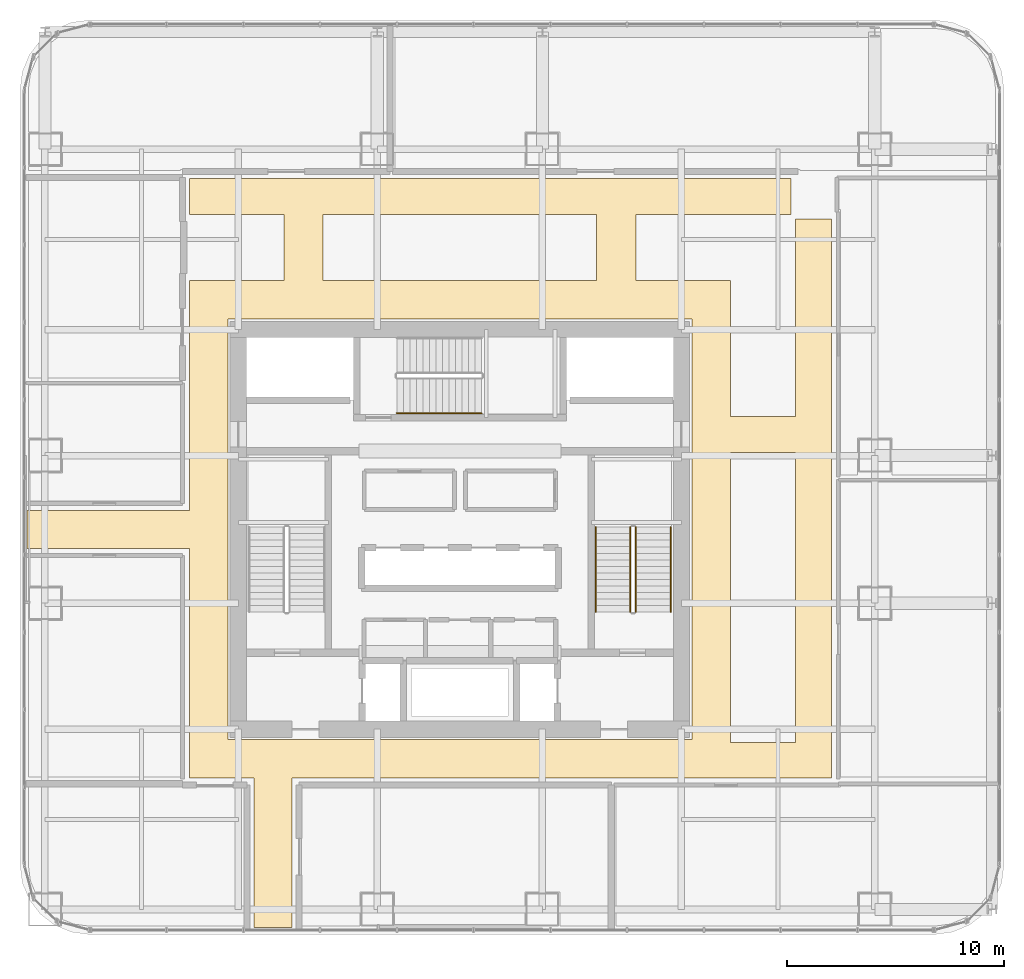
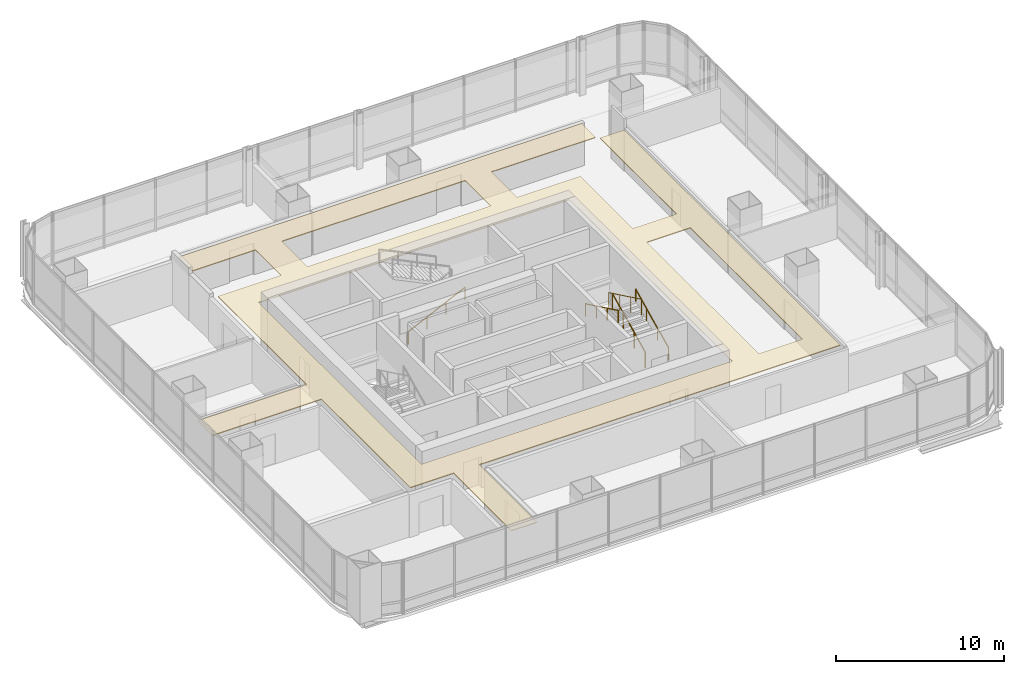
# One storey, part 32 of 34: 5 railings, 1 covering.
"""IFC4 building model written with IfcOpenShell, lengths in metres."""

from ifc_helpers import new_model, si_unit, direction, frame, origin, origin_2d, place, context, subcontext, project, spatial, polyline, circle, outline, extrude, material, layer, layer_set, type_object, element, save


model = new_model("IFC4")

# Units and contexts
model_context = context("Model", 3, precision=1e-05, world=origin(), true_north=direction((0.0, 1.0)))
body_context = subcontext(model_context, "Body", "Model", "MODEL_VIEW")
ifc_project = project(units=[si_unit("LENGTHUNIT", "METRE"), si_unit("AREAUNIT", "SQUARE_METRE"), si_unit("VOLUMEUNIT", "CUBIC_METRE"), si_unit("PLANEANGLEUNIT", "RADIAN"), si_unit("MASSUNIT", "GRAM", prefix="KILO")], contexts=[model_context])

# Site, building, storey
site_placement = place(None, origin())
site = spatial("IfcSite", under=ifc_project, at=site_placement, CompositionType="ELEMENT")
building_placement = place(site_placement, origin())
building = spatial("IfcBuilding", under=site, at=building_placement, Name="Punatoya Terracotta Tower", CompositionType="ELEMENT")
storey_placement = place(building_placement, frame((0.0, 0.0, 97.050048828125)))
storey = spatial("IfcBuildingStorey", under=building, at=storey_placement, Name="L22", CompositionType="ELEMENT", Elevation=97.050048828125)

# Covering
ifc_material_1 = material(Name="Acoustic Mineral Fibre Ceiling")
ifc_layer = layer(ifc_material_1, 0.06005859375)
ifc_layer_set = layer_set([ifc_layer], Name="Acoustic Mineral Fibre Ceiling")
covering_type = type_object("IfcCoveringType", Name="COV-CEIL-60", PredefinedType="CEILING", material=ifc_layer_set)
covering_placement = place(storey_placement, frame((0.0, 0.0, 3.199951171875)))
element("IfcCovering", 1, at=covering_placement, inside=storey, type_object=covering_type, Name="L22 Ring Circulation Corridor Acoustic Ceiling", PredefinedType="CEILING", context=body_context, shape_type="SweptSolid", body=[
    extrude(outline(polyline([(-7.719970703125, -18.330078125), (-7.719970703125, -11.449951171875), (17.10009765625, -11.449951171875), (17.10009765625, 14.300048828125), (15.449951171875, 14.300048828125), (15.449951171875, 5.199951171875), (12.449951171875, 5.199951171875), (12.449951171875, 11.449951171875), (8.10009765625, 11.449951171875), (8.10009765625, 14.5), (15.25, 14.5), (15.25, 16.14990234375), (-12.449951171875, 16.14990234375), (-12.449951171875, 14.5), (-8.10009765625, 14.5), (-8.10009765625, 11.449951171875), (-12.449951171875, 11.449951171875), (-12.449951171875, 0.8798828125), (-19.929931640625, 0.8798828125), (-19.929931640625, -0.8798828125), (-12.449951171875, -0.8798828125), (-12.449951171875, -11.449951171875), (-9.47998046875, -11.449951171875), (-9.47998046875, -18.330078125), (-7.719970703125, -18.330078125)]), holes=[polyline([(15.449951171875, -9.800048828125), (12.449951171875, -9.800048828125), (12.449951171875, 3.550048828125), (15.449951171875, 3.550048828125), (15.449951171875, -9.800048828125)]), polyline([(10.679931640625, 9.679931640625), (10.679931640625, -9.679931640625), (-10.679931640625, -9.679931640625), (-10.679931640625, 9.679931640625), (10.679931640625, 9.679931640625)]), polyline([(6.300048828125, 14.5), (6.300048828125, 11.449951171875), (-6.300048828125, 11.449951171875), (-6.300048828125, 14.5), (6.300048828125, 14.5)])]), origin(), (0.0, 0.0, 1.0), 0.06005859375),
])

# Railings
ifc_material_2 = material(Name="Steel S355", Category="steel")
railing_type_1 = type_object("IfcRailingType", Name="RLG-GRD-1150", PredefinedType="GUARDRAIL", material=ifc_material_2)
railing_1_placement = place(storey_placement, frame((8.10009765625, -3.800048828125, 0.14453125)))
element("IfcRailing", 2, at=railing_1_placement, inside=storey, type_object=railing_type_1, Name="L22 ST-2 stair guard 1", PredefinedType="GUARDRAIL", context=body_context, shape_type="SweptSolid", body=[
    extrude(circle(Radius=0.02392578125, at=origin_2d()), frame((0.0, 0.0, 1.1259765625), z_axis=(0.0, 0.900773802044, 0.434288564841), x_axis=(-1.0, 0.0, 0.0)), (0.0, 0.0, 1.0), 4.329833984375),
    extrude(circle(Radius=0.02099609375, at=origin_2d()), origin(), (0.0, 0.0, 1.0), 1.101806640625),
    extrude(circle(Radius=0.02099609375, at=origin_2d()), frame((0.0, 1.300048828125, 0.626708984375)), (0.0, 0.0, 1.0), 1.101806640625),
    extrude(circle(Radius=0.02099609375, at=origin_2d()), frame((0.0, 2.60009765625, 1.253662109375)), (0.0, 0.0, 1.0), 1.101806640625),
    extrude(circle(Radius=0.02099609375, at=origin_2d()), frame((0.0, 3.900146484375, 1.88037109375)), (0.0, 0.0, 1.0), 1.101806640625),
])
railing_2_placement = place(storey_placement, frame((7.85009765625, 0.10009765625, 2.169677734375)))
element("IfcRailing", 3, at=railing_2_placement, inside=storey, type_object=railing_type_1, Name="L22 ST-2 stair guard 3", PredefinedType="GUARDRAIL", context=body_context, shape_type="SweptSolid", body=[
    extrude(circle(Radius=0.02392578125, at=origin_2d()), frame((0.0, 0.0, 1.1259765625), z_axis=(0.0, -0.900773802044, 0.434288564841), x_axis=(1.0, 0.0, 0.0)), (0.0, 0.0, 1.0), 4.329833984375),
    extrude(circle(Radius=0.02099609375, at=origin_2d()), origin(), (0.0, 0.0, 1.0), 1.101806640625),
    extrude(circle(Radius=0.02099609375, at=origin_2d()), frame((0.0, -1.300048828125, 0.626708984375)), (0.0, 0.0, 1.0), 1.101806640625),
    extrude(circle(Radius=0.02099609375, at=origin_2d()), frame((0.0, -2.60009765625, 1.253662109375)), (0.0, 0.0, 1.0), 1.101806640625),
    extrude(circle(Radius=0.02099609375, at=origin_2d()), frame((0.0, -3.900146484375, 1.88037109375)), (0.0, 0.0, 1.0), 1.101806640625),
])
railing_type_2 = type_object("IfcRailingType", Name="RLG-HND-900", PredefinedType="HANDRAIL", material=ifc_material_2)
railing_3_placement = place(storey_placement, frame((9.699951171875, -3.800048828125, 0.14453125)))
element("IfcRailing", 4, at=railing_3_placement, inside=storey, type_object=railing_type_2, Name="L22 ST-2 stair handrail 1", PredefinedType="HANDRAIL", context=body_context, shape_type="SweptSolid", body=[
    extrude(circle(Radius=0.02392578125, at=origin_2d()), frame((0.0, 0.0, 0.8759765625), z_axis=(0.0, 0.900773802044, 0.434288564841), x_axis=(-1.0, 0.0, 0.0)), (0.0, 0.0, 1.0), 4.329833984375),
    extrude(circle(Radius=0.02099609375, at=origin_2d()), origin(), (0.0, 0.0, 1.0), 0.851806640625),
    extrude(circle(Radius=0.02099609375, at=origin_2d()), frame((0.0, 1.300048828125, 0.626708984375)), (0.0, 0.0, 1.0), 0.851806640625),
    extrude(circle(Radius=0.02099609375, at=origin_2d()), frame((0.0, 2.60009765625, 1.253662109375)), (0.0, 0.0, 1.0), 0.851806640625),
    extrude(circle(Radius=0.02099609375, at=origin_2d()), frame((0.0, 3.900146484375, 1.88037109375)), (0.0, 0.0, 1.0), 0.851806640625),
])
railing_4_placement = place(storey_placement, frame((6.25, 0.10009765625, 2.169677734375)))
element("IfcRailing", 5, at=railing_4_placement, inside=storey, type_object=railing_type_2, Name="L22 ST-2 stair handrail 2", PredefinedType="HANDRAIL", context=body_context, shape_type="SweptSolid", body=[
    extrude(circle(Radius=0.02392578125, at=origin_2d()), frame((0.0, 0.0, 0.8759765625), z_axis=(0.0, -0.900773802044, 0.434288564841), x_axis=(1.0, 0.0, 0.0)), (0.0, 0.0, 1.0), 4.329833984375),
    extrude(circle(Radius=0.02099609375, at=origin_2d()), origin(), (0.0, 0.0, 1.0), 0.851806640625),
    extrude(circle(Radius=0.02099609375, at=origin_2d()), frame((0.0, -1.300048828125, 0.626708984375)), (0.0, 0.0, 1.0), 0.851806640625),
    extrude(circle(Radius=0.02099609375, at=origin_2d()), frame((0.0, -2.60009765625, 1.253662109375)), (0.0, 0.0, 1.0), 0.851806640625),
    extrude(circle(Radius=0.02099609375, at=origin_2d()), frame((0.0, -3.900146484375, 1.88037109375)), (0.0, 0.0, 1.0), 0.851806640625),
])
railing_5_placement = place(storey_placement, frame((-2.89990234375, 5.35009765625, 0.14453125)))
element("IfcRailing", 6, at=railing_5_placement, inside=storey, type_object=railing_type_2, Name="L22 ST-3 stair handrail 1", PredefinedType="HANDRAIL", context=body_context, shape_type="SweptSolid", body=[
    extrude(circle(Radius=0.02392578125, at=origin_2d()), frame((0.0, 0.0, 0.8759765625), z_axis=(0.900763166376, 0.0, 0.434310623978), x_axis=(0.0, 1.0, 0.0)), (0.0, 0.0, 1.0), 4.32958984375),
    extrude(circle(Radius=0.02099609375, at=origin_2d()), origin(), (0.0, 0.0, 1.0), 0.851806640625),
    extrude(circle(Radius=0.02099609375, at=origin_2d()), frame((1.300048828125, 0.0, 0.626708984375)), (0.0, 0.0, 1.0), 0.851806640625),
    extrude(circle(Radius=0.02099609375, at=origin_2d()), frame((2.599853515625, 0.0, 1.253662109375)), (0.0, 0.0, 1.0), 0.851806640625),
    extrude(circle(Radius=0.02099609375, at=origin_2d()), frame((3.89990234375, 0.0, 1.88037109375)), (0.0, 0.0, 1.0), 0.851806640625),
])

save(model, "model.ifc")
